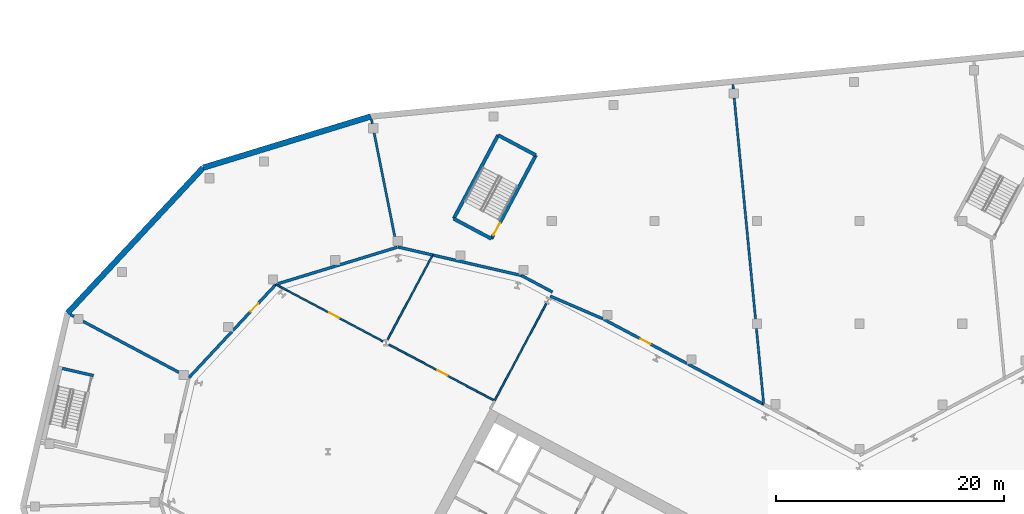
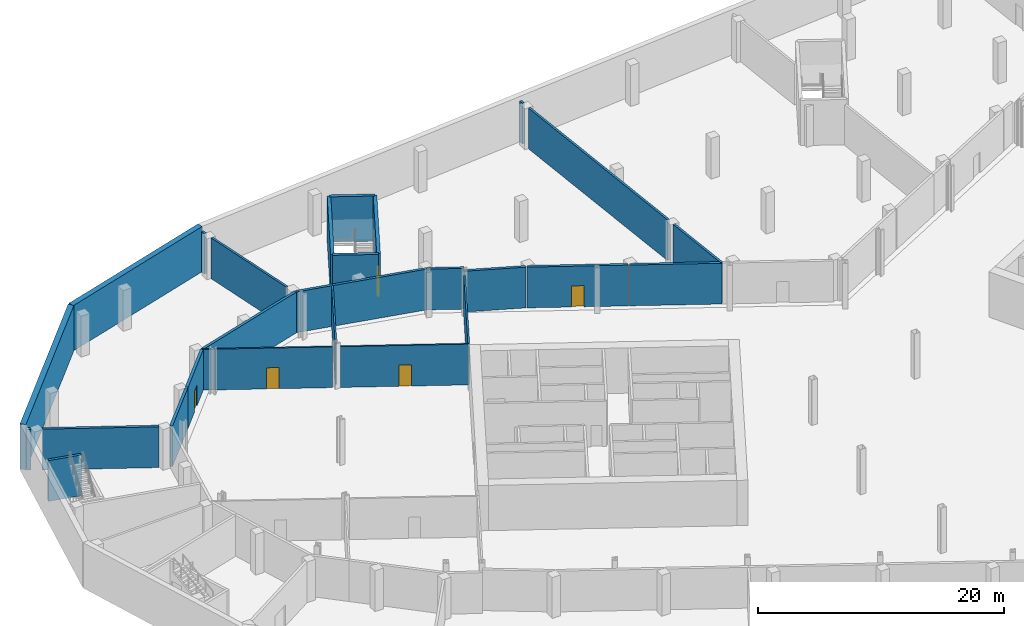
# One storey, part 15 of 27: 28 walls, 5 doors, 5 openings.
"""IFC4 building model written with IfcOpenShell, lengths in metres."""

from ifc_helpers import new_model, si_unit, direction, frame, frame_2d, origin, place, context, subcontext, project, spatial, rectangle, extrude, material, layer, layer_set, type_object, element, fill, save


model = new_model("IFC4")

# Units and contexts
model_context = context("Model", 3, precision=1e-05, world=origin(), true_north=direction((0.0, 1.0)))
body_context = subcontext(model_context, "Body", "Model", "MODEL_VIEW")
ifc_project = project(units=[si_unit("LENGTHUNIT", "METRE"), si_unit("AREAUNIT", "SQUARE_METRE"), si_unit("VOLUMEUNIT", "CUBIC_METRE"), si_unit("PLANEANGLEUNIT", "RADIAN"), si_unit("MASSUNIT", "GRAM", prefix="KILO")], contexts=[model_context])

# Site, building, storey
site_placement = place(None, origin())
site = spatial("IfcSite", under=ifc_project, at=site_placement, CompositionType="ELEMENT")
building_placement = place(site_placement, origin())
building = spatial("IfcBuilding", under=site, at=building_placement, Name="Cormorant Relay Tower", CompositionType="ELEMENT")
storey_placement = place(building_placement, frame((0.0, 0.0, -4.5)))
storey = spatial("IfcBuildingStorey", under=building, at=storey_placement, Name="B1", CompositionType="ELEMENT", Elevation=-4.5)

# Walls
ifc_material_1 = material(Name="Concrete masonry 20 MPa", Category="masonry")
ifc_layer_1 = layer(ifc_material_1, 0.25)
ifc_layer_set_1 = layer_set([ifc_layer_1], Name="Fire separation wall 250")
wall_type_1 = type_object("IfcWallType", Name="Fire separation wall 250", PredefinedType="SOLIDWALL", material=ifc_layer_set_1)
wall_1_placement = place(storey_placement, frame((-37.4501953125, 42.033203125, 0.0), z_axis=(0.0, 0.0, 1.0), x_axis=(0.97436957048, -0.224953195404, 0.0)))
element("IfcWall", 1, at=wall_1_placement, inside=storey, type_object=wall_type_1, Name="Partition", PredefinedType="SOLIDWALL", context=body_context, shape_type="SweptSolid", body=[
    extrude(rectangle(XDim=7.9931640625, YDim=0.25, at=frame_2d((3.99658203125, 0.0))), origin(), (0.0, 0.0, 1.0), 4.050048828125),
])
wall_2_placement = place(storey_placement, frame((-29.661865234375, 40.235107421875, 0.0), z_axis=(0.0, 0.0, 1.0), x_axis=(0.882951412921, -0.469464378224, 0.0)))
element("IfcWall", 2, at=wall_2_placement, inside=storey, type_object=wall_type_1, Name="Partition", PredefinedType="SOLIDWALL", context=body_context, shape_type="SweptSolid", body=[
    extrude(rectangle(XDim=3.0791015625, YDim=0.25, at=frame_2d((1.53955078125, 0.0))), origin(), (0.0, 0.0, 1.0), 4.050048828125),
])
wall_3_placement = place(storey_placement, frame((-40.4873046875, 42.734130859375, 0.0), z_axis=(0.0, 0.0, 1.0), x_axis=(0.974387235192, -0.224876668186, 0.0)))
element("IfcWall", 3, at=wall_3_placement, inside=storey, type_object=wall_type_1, Name="Partition", PredefinedType="SOLIDWALL", context=body_context, shape_type="SweptSolid", body=[
    extrude(rectangle(XDim=3.116943359375, YDim=0.25, at=frame_2d((1.55859375, 0.0))), origin(), (0.0, 0.0, 1.0), 4.050048828125),
])
wall_4_placement = place(storey_placement, frame((-27.13427734375, 38.429931640625, 0.0), z_axis=(0.0, 0.0, 1.0), x_axis=(0.918029849315, -0.396511280756, 0.0)))
element("IfcWall", 4, at=wall_4_placement, inside=storey, type_object=wall_type_1, Name="Partition", PredefinedType="SOLIDWALL", context=body_context, shape_type="SweptSolid", body=[
    extrude(rectangle(XDim=5.032958984375, YDim=0.25, at=frame_2d((2.5166015625, 0.0))), origin(), (0.0, 0.0, 1.0), 4.050048828125),
])

# Wall, opening, door
wall_5_placement = place(storey_placement, frame((-22.4267578125, 36.387939453125, 0.0), z_axis=(0.0, 0.0, 1.0), x_axis=(0.882947828207, -0.46947112016, 0.0)))
wall_5 = element("IfcWall", 5, at=wall_5_placement, inside=storey, type_object=wall_type_1, Name="Partition", PredefinedType="SOLIDWALL", context=body_context, shape_type="SweptSolid", body=[
    extrude(rectangle(XDim=8.249267578125, YDim=0.25, at=frame_2d((4.12451171875, 0.0))), origin(), (0.0, 0.0, 1.0), 4.050048828125),
])
opening_1_placement = place(wall_5_placement, frame((3.625, 0.0, 0.0)))
opening_1 = element("IfcOpeningElement", 6, at=opening_1_placement, cuts=wall_5, Name="Opening PD1-039", PredefinedType="OPENING", context=body_context, shape_type="SweptSolid", body=[
    extrude(rectangle(XDim=1.0, YDim=2.10009765625, at=frame_2d((0.5, 1.050048828125))), frame((0.0, 0.135009765625, 0.0), z_axis=(0.0, -1.0, 0.0), x_axis=(1.0, 0.0, 0.0)), (0.0, 0.0, 1.0), 0.27001953125),
])
ifc_material_2 = material(Name="Steel door leaf", Category="steel")
door_type_1 = type_object("IfcDoorType", Name="Door single 1000", OperationType="SINGLE_SWING_LEFT", PredefinedType="DOOR", material=ifc_material_2)
door_1_placement = place(opening_1_placement, origin())
door_1 = element("IfcDoor", 7, at=door_1_placement, inside=storey, type_object=door_type_1, Name="Door", OperationType="SINGLE_SWING_RIGHT", OverallHeight=2.10009765625, OverallWidth=1.0, PredefinedType="DOOR", context=body_context, shape_type="SweptSolid", body=[
    extrude(rectangle(XDim=1.0, YDim=2.10009765625, at=frame_2d((0.5, 1.050048828125))), frame((0.0, 0.02490234375, 0.0), z_axis=(0.0, -1.0, 0.0), x_axis=(1.0, 0.0, 0.0)), (0.0, 0.0, 1.0), 0.050048828125),
])
fill(opening_1, door_1)

# Walls
wall_6_placement = place(storey_placement, frame((-15.05615234375, 32.468994140625, 0.0), z_axis=(0.0, 0.0, 1.0), x_axis=(0.882954463929, -0.469458639954, 0.0)))
element("IfcWall", 8, at=wall_6_placement, inside=storey, type_object=wall_type_1, Name="Partition", PredefinedType="SOLIDWALL", context=body_context, shape_type="SweptSolid", body=[
    extrude(rectangle(XDim=7.52978515625, YDim=0.25, at=frame_2d((3.764892578125, 0.0))), origin(), (0.0, 0.0, 1.0), 4.050048828125),
])
wall_7_placement = place(storey_placement, frame((-69.21728515625, 36.803466796875, 0.0), z_axis=(0.0, 0.0, 1.0), x_axis=(0.882841235484, -0.469671537278, 0.0)))
element("IfcWall", 9, at=wall_7_placement, inside=storey, type_object=wall_type_1, Name="Partition", PredefinedType="SOLIDWALL", context=body_context, shape_type="SweptSolid", body=[
    extrude(rectangle(XDim=0.345703125, YDim=0.25, at=frame_2d((0.1728515625, 0.0))), origin(), (0.0, 0.0, 1.0), 4.050048828125),
])
wall_8_placement = place(storey_placement, frame((-68.112060546875, 36.2158203125, 0.0), z_axis=(0.0, 0.0, 1.0), x_axis=(0.882949504028, -0.469467968382, 0.0)))
element("IfcWall", 10, at=wall_8_placement, inside=storey, type_object=wall_type_1, Name="Partition", PredefinedType="SOLIDWALL", context=body_context, shape_type="SweptSolid", body=[
    extrude(rectangle(XDim=9.550048828125, YDim=0.25, at=frame_2d((4.77490234375, 0.0))), origin(), (0.0, 0.0, 1.0), 4.050048828125),
])
wall_9_placement = place(storey_placement, frame((-58.823974609375, 31.272705078125, 0.0), z_axis=(0.0, 0.0, 1.0), x_axis=(0.681856343792, 0.73148610816, 0.0)))
element("IfcWall", 11, at=wall_9_placement, inside=storey, type_object=wall_type_1, Name="Partition", PredefinedType="SOLIDWALL", context=body_context, shape_type="SweptSolid", body=[
    extrude(rectangle(XDim=5.519287109375, YDim=0.25, at=frame_2d((2.759765625, 0.0))), origin(), (0.0, 0.0, 1.0), 4.050048828125),
])

# Wall, opening, door
wall_10_placement = place(storey_placement, frame((-54.971923828125, 35.405029296875, 0.0), z_axis=(0.0, 0.0, 1.0), x_axis=(0.681862401645, 0.731480461273, 0.0)))
wall_10 = element("IfcWall", 12, at=wall_10_placement, inside=storey, type_object=wall_type_1, Name="Partition", PredefinedType="SOLIDWALL", context=body_context, shape_type="SweptSolid", body=[
    extrude(rectangle(XDim=5.535400390625, YDim=0.25, at=frame_2d((2.767578125, 0.0))), origin(), (0.0, 0.0, 1.0), 4.050048828125),
])
opening_2_placement = place(wall_10_placement, frame((2.26806640625, 0.0, 0.0)))
opening_2 = element("IfcOpeningElement", 13, at=opening_2_placement, cuts=wall_10, Name="Opening PD1-040", PredefinedType="OPENING", context=body_context, shape_type="SweptSolid", body=[
    extrude(rectangle(XDim=1.0, YDim=2.10009765625, at=frame_2d((0.5, 1.050048828125))), frame((0.0, 0.135009765625, 0.0), z_axis=(0.0, -1.0, 0.0), x_axis=(1.0, 0.0, 0.0)), (0.0, 0.0, 1.0), 0.27001953125),
])
door_2_placement = place(opening_2_placement, origin())
door_2 = element("IfcDoor", 14, at=door_2_placement, inside=storey, type_object=door_type_1, Name="Door", OperationType="SINGLE_SWING_RIGHT", OverallHeight=2.10009765625, OverallWidth=1.0, PredefinedType="DOOR", context=body_context, shape_type="SweptSolid", body=[
    extrude(rectangle(XDim=1.0, YDim=2.10009765625, at=frame_2d((0.5, 1.050048828125))), frame((0.0, 0.02490234375, 0.0), z_axis=(0.0, -1.0, 0.0), x_axis=(1.0, 0.0, 0.0)), (0.0, 0.0, 1.0), 0.050048828125),
])
fill(opening_2, door_2)

# Walls
wall_11_placement = place(storey_placement, frame((-51.190185546875, 39.4619140625, 0.0), z_axis=(0.0, 0.0, 1.0), x_axis=(0.956306774144, 0.29236510347, 0.0)))
element("IfcWall", 15, at=wall_11_placement, inside=storey, type_object=wall_type_1, Name="Partition", PredefinedType="SOLIDWALL", context=body_context, shape_type="SweptSolid", body=[
    extrude(rectangle(XDim=11.129638671875, YDim=0.25, at=frame_2d((5.56494140625, 0.0))), origin(), (0.0, 0.0, 1.0), 4.050048828125),
])
wall_12_placement = place(storey_placement, frame((-69.924560546875, 32.09033203125, 0.0), z_axis=(0.0, 0.0, 1.0), x_axis=(0.974369148124, -0.224955024802, 0.0)))
element("IfcWall", 16, at=wall_12_placement, inside=storey, type_object=wall_type_1, Name="Stair enclosure wall", PredefinedType="SOLIDWALL", context=body_context, shape_type="SweptSolid", body=[
    extrude(rectangle(XDim=2.800048828125, YDim=0.25, at=frame_2d((1.39990234375, 0.0))), origin(), (0.0, 0.0, 1.0), 4.050048828125),
])

# Wall, opening, door
ifc_material_3 = material(Name="Gypsum board on steel stud", Category="steel")
ifc_layer_2 = layer(ifc_material_3, 0.14990234375)
ifc_layer_set_2 = layer_set([ifc_layer_2], Name="Partition 150")
wall_type_2 = type_object("IfcWallType", Name="Partition 150", PredefinedType="PARTITIONING", material=ifc_layer_set_2)
wall_13_placement = place(storey_placement, frame((-32.013427734375, 29.253662109375, 0.0), z_axis=(0.0, 0.0, 1.0), x_axis=(-0.882951328121, 0.469464537713, 0.0)))
wall_13 = element("IfcWall", 17, at=wall_13_placement, inside=storey, type_object=wall_type_2, Name="Partition", PredefinedType="PARTITIONING", context=body_context, shape_type="SweptSolid", body=[
    extrude(rectangle(XDim=10.502197265625, YDim=0.14990234375, at=frame_2d((5.2509765625, 0.0))), origin(), (0.0, 0.0, 1.0), 4.050048828125),
])
opening_3_placement = place(wall_13_placement, frame((4.673095703125, 0.0, 0.0)))
opening_3 = element("IfcOpeningElement", 18, at=opening_3_placement, cuts=wall_13, Name="Opening PD1-045", PredefinedType="OPENING", context=body_context, shape_type="SweptSolid", body=[
    extrude(rectangle(XDim=1.0, YDim=2.10009765625, at=frame_2d((0.5, 1.050048828125))), frame((0.0, 0.0849609375, 0.0), z_axis=(0.0, -1.0, 0.0), x_axis=(1.0, 0.0, 0.0)), (0.0, 0.0, 1.0), 0.169921875),
])
door_3_placement = place(opening_3_placement, frame((1.0, 0.0, 0.0), z_axis=(0.0, 0.0, 1.0), x_axis=(-1.0, 0.0, 0.0)))
door_3 = element("IfcDoor", 19, at=door_3_placement, inside=storey, type_object=door_type_1, Name="Door", OperationType="SINGLE_SWING_RIGHT", OverallHeight=2.10009765625, OverallWidth=1.0, PredefinedType="DOOR", context=body_context, shape_type="SweptSolid", body=[
    extrude(rectangle(XDim=1.0, YDim=2.10009765625, at=frame_2d((0.5, 1.050048828125))), frame((0.0, 0.02490234375, 0.0), z_axis=(0.0, -1.0, 0.0), x_axis=(1.0, 0.0, 0.0)), (0.0, 0.0, 1.0), 0.050048828125),
])
fill(opening_3, door_3)

wall_14_placement = place(storey_placement, frame((-41.8115234375, 34.46337890625, 0.0), z_axis=(0.0, 0.0, 1.0), x_axis=(-0.882945529205, 0.469475443935, 0.0)))
wall_14 = element("IfcWall", 20, at=wall_14_placement, inside=storey, type_object=wall_type_2, Name="Partition", PredefinedType="PARTITIONING", context=body_context, shape_type="SweptSolid", body=[
    extrude(rectangle(XDim=9.568603515625, YDim=0.14990234375, at=frame_2d((4.7841796875, 0.0))), origin(), (0.0, 0.0, 1.0), 4.050048828125),
])
opening_4_placement = place(wall_14_placement, frame((4.361572265625, 0.0, 0.0)))
opening_4 = element("IfcOpeningElement", 21, at=opening_4_placement, cuts=wall_14, Name="Opening PD1-046", PredefinedType="OPENING", context=body_context, shape_type="SweptSolid", body=[
    extrude(rectangle(XDim=1.0, YDim=2.10009765625, at=frame_2d((0.5, 1.050048828125))), frame((0.0, 0.0849609375, 0.0), z_axis=(0.0, -1.0, 0.0), x_axis=(1.0, 0.0, 0.0)), (0.0, 0.0, 1.0), 0.169921875),
])
door_4_placement = place(opening_4_placement, frame((1.0, 0.0, 0.0), z_axis=(0.0, 0.0, 1.0), x_axis=(-1.0, 0.0, 0.0)))
door_4 = element("IfcDoor", 22, at=door_4_placement, inside=storey, type_object=door_type_1, Name="Door", OperationType="SINGLE_SWING_RIGHT", OverallHeight=2.10009765625, OverallWidth=1.0, PredefinedType="DOOR", context=body_context, shape_type="SweptSolid", body=[
    extrude(rectangle(XDim=1.0, YDim=2.10009765625, at=frame_2d((0.5, 1.050048828125))), frame((0.0, 0.02490234375, 0.0), z_axis=(0.0, -1.0, 0.0), x_axis=(1.0, 0.0, 0.0)), (0.0, 0.0, 1.0), 0.050048828125),
])
fill(opening_4, door_4)

# Walls
wall_15_placement = place(storey_placement, frame((-50.260009765625, 38.95556640625, 0.0), z_axis=(0.0, 0.0, 1.0), x_axis=(-0.882925119508, 0.469513826572, 0.0)))
element("IfcWall", 23, at=wall_15_placement, inside=storey, type_object=wall_type_2, Name="Partition", PredefinedType="PARTITIONING", context=body_context, shape_type="SweptSolid", body=[
    extrude(rectangle(XDim=1.061767578125, YDim=0.14990234375, at=frame_2d((0.53076171875, 0.0))), origin(), (0.0, 0.0, 1.0), 4.050048828125),
])
wall_16_placement = place(storey_placement, frame((-37.4501953125, 42.033203125, 0.0), z_axis=(0.0, 0.0, 1.0), x_axis=(-0.46946644805, -0.882950312393, 0.0)))
element("IfcWall", 24, at=wall_16_placement, inside=storey, type_object=wall_type_2, Name="Partition", PredefinedType="PARTITIONING", context=body_context, shape_type="SweptSolid", body=[
    extrude(rectangle(XDim=8.373046875, YDim=0.14990234375, at=frame_2d((4.1865234375, 0.0))), origin(), (0.0, 0.0, 1.0), 4.050048828125),
])
wall_17_placement = place(storey_placement, frame((-32.015380859375, 29.25, 0.0), z_axis=(0.0, 0.0, 1.0), x_axis=(0.469462919124, 0.882952188721, 0.0)))
element("IfcWall", 25, at=wall_17_placement, inside=storey, type_object=wall_type_2, Name="Partition", PredefinedType="PARTITIONING", context=body_context, shape_type="SweptSolid", body=[
    extrude(rectangle(XDim=9.687255859375, YDim=0.14990234375, at=frame_2d((4.84375, 0.0))), origin(), (0.0, 0.0, 1.0), 4.050048828125),
])
ifc_material_4 = material(Name="Concrete masonry 20 MPa", Category="masonry")
ifc_layer_3 = layer(ifc_material_4, 0.199951171875)
ifc_layer_set_3 = layer_set([ifc_layer_3], Name="Plant room wall 200")
wall_type_3 = type_object("IfcWallType", Name="Plant room wall 200", PredefinedType="PARTITIONING", material=ifc_layer_set_3)
wall_18_placement = place(storey_placement, frame((-11.115966796875, 56.997802734375, 0.0), z_axis=(0.0, 0.0, 1.0), x_axis=(0.095794311802, -0.995401150203, 0.0)))
element("IfcWall", 26, at=wall_18_placement, inside=storey, type_object=wall_type_3, Name="Partition", PredefinedType="PARTITIONING", context=body_context, shape_type="SweptSolid", body=[
    extrude(rectangle(XDim=0.3974609375, YDim=0.199951171875, at=frame_2d((0.19873046875, 0.0))), origin(), (0.0, 0.0, 1.0), 4.050048828125),
])
wall_19_placement = place(storey_placement, frame((-11.000732421875, 55.802001953125, 0.0), z_axis=(0.0, 0.0, 1.0), x_axis=(0.095942712783, -0.99538685739, 0.0)))
element("IfcWall", 27, at=wall_19_placement, inside=storey, type_object=wall_type_3, Name="Partition", PredefinedType="PARTITIONING", context=body_context, shape_type="SweptSolid", body=[
    extrude(rectangle(XDim=19.491943359375, YDim=0.199951171875, at=frame_2d((9.74609375, 0.0))), origin(), (0.0, 0.0, 1.0), 4.050048828125),
])
wall_20_placement = place(storey_placement, frame((-9.0537109375, 35.60009765625, 0.0), z_axis=(0.0, 0.0, 1.0), x_axis=(0.095939612703, -0.995387156193, 0.0)))
element("IfcWall", 28, at=wall_20_placement, inside=storey, type_object=wall_type_3, Name="Partition", PredefinedType="PARTITIONING", context=body_context, shape_type="SweptSolid", body=[
    extrude(rectangle(XDim=6.6953125, YDim=0.199951171875, at=frame_2d((3.34765625, 0.0))), origin(), (0.0, 0.0, 1.0), 4.050048828125),
])
wall_21_placement = place(storey_placement, frame((-42.81689453125, 53.932373046875, 0.0), z_axis=(0.0, 0.0, 1.0), x_axis=(0.194899081762, -0.980823301073, 0.0)))
element("IfcWall", 29, at=wall_21_placement, inside=storey, type_object=wall_type_3, Name="Partition", PredefinedType="PARTITIONING", context=body_context, shape_type="SweptSolid", body=[
    extrude(rectangle(XDim=0.3857421875, YDim=0.199951171875, at=frame_2d((0.19287109375, 0.0))), origin(), (0.0, 0.0, 1.0), 4.050048828125),
])
wall_22_placement = place(storey_placement, frame((-42.58251953125, 52.75390625, 0.0), z_axis=(0.0, 0.0, 1.0), x_axis=(0.195149741705, -0.980773459221, 0.0)))
element("IfcWall", 30, at=wall_22_placement, inside=storey, type_object=wall_type_3, Name="Partition", PredefinedType="PARTITIONING", context=body_context, shape_type="SweptSolid", body=[
    extrude(rectangle(XDim=9.2802734375, YDim=0.199951171875, at=frame_2d((4.64013671875, 0.0))), origin(), (0.0, 0.0, 1.0), 4.050048828125),
])
ifc_material_5 = material(Name="Concrete 50 MPa", Category="concrete")
ifc_layer_4 = layer(ifc_material_5, 0.300048828125)
ifc_layer_set_4 = layer_set([ifc_layer_4], Name="Remote stair wall 300")
wall_type_4 = type_object("IfcWallType", Name="Remote stair wall 300", PredefinedType="SHEAR", material=ifc_layer_set_4)
wall_23_placement = place(storey_placement, frame((-31.707275390625, 52.54443359375, 0.0), z_axis=(0.0, 0.0, 1.0), x_axis=(0.882948761726, -0.46946936446, 0.0)))
element("IfcWall", 31, at=wall_23_placement, inside=storey, type_object=wall_type_4, Name="B1 exit stair RN2 wall", PredefinedType="SHEAR", context=body_context, shape_type="SweptSolid", body=[
    extrude(rectangle(XDim=3.75, YDim=0.300048828125, at=frame_2d((1.875, 0.0))), origin(), (0.0, 0.0, 1.0), 4.5),
])

# Wall, opening, door
wall_24_placement = place(storey_placement, frame((-28.396240234375, 50.783935546875, 0.0), z_axis=(0.0, 0.0, 1.0), x_axis=(-0.469464178475, -0.882951519127, 0.0)))
wall_24 = element("IfcWall", 32, at=wall_24_placement, inside=storey, type_object=wall_type_4, Name="B1 exit stair RN2 wall", PredefinedType="SHEAR", context=body_context, shape_type="SweptSolid", body=[
    extrude(rectangle(XDim=8.2998046875, YDim=0.300048828125, at=frame_2d((4.14990234375, 0.0))), origin(), (0.0, 0.0, 1.0), 4.5),
])
opening_5_placement = place(wall_24_placement, frame((6.72509765625, 0.0, 0.0)))
opening_5 = element("IfcOpeningElement", 33, at=opening_5_placement, cuts=wall_24, Name="Opening CDB-006", PredefinedType="OPENING", context=body_context, shape_type="SweptSolid", body=[
    extrude(rectangle(XDim=1.199951171875, YDim=2.10009765625, at=frame_2d((0.60009765625, 1.050048828125))), frame((0.0, 0.159912109375, 0.0), z_axis=(0.0, -1.0, 0.0), x_axis=(1.0, 0.0, 0.0)), (0.0, 0.0, 1.0), 0.320068359375),
])
ifc_material_6 = material(Name="Steel fire door", Category="steel")
door_type_2 = type_object("IfcDoorType", Name="Core stair door 1200x2100", OperationType="SINGLE_SWING_LEFT", PredefinedType="DOOR", material=ifc_material_6)
door_5_placement = place(opening_5_placement, frame((1.199951171875, 0.0, 0.0), z_axis=(0.0, 0.0, 1.0), x_axis=(-1.0, 0.0, 0.0)))
door_5 = element("IfcDoor", 34, at=door_5_placement, inside=storey, type_object=door_type_2, Name="Exit stair RN2 door", OperationType="SINGLE_SWING_LEFT", OverallHeight=2.10009765625, OverallWidth=1.199951171875, PredefinedType="DOOR", context=body_context, shape_type="SweptSolid", body=[
    extrude(rectangle(XDim=1.199951171875, YDim=2.10009765625, at=frame_2d((0.60009765625, 1.050048828125))), frame((0.0, 0.02490234375, 0.0), z_axis=(0.0, -1.0, 0.0), x_axis=(1.0, 0.0, 0.0)), (0.0, 0.0, 1.0), 0.050048828125),
])
fill(opening_5, door_5)

# Walls
wall_25_placement = place(storey_placement, frame((-32.292724609375, 43.45556640625, 0.0), z_axis=(0.0, 0.0, 1.0), x_axis=(-0.882948761726, 0.46946936446, 0.0)))
element("IfcWall", 35, at=wall_25_placement, inside=storey, type_object=wall_type_4, Name="B1 exit stair RN2 wall", PredefinedType="SHEAR", context=body_context, shape_type="SweptSolid", body=[
    extrude(rectangle(XDim=3.75, YDim=0.300048828125, at=frame_2d((1.875, 0.0))), origin(), (0.0, 0.0, 1.0), 4.5),
])
wall_26_placement = place(storey_placement, frame((-35.603759765625, 45.216064453125, 0.0), z_axis=(0.0, 0.0, 1.0), x_axis=(0.469464178475, 0.882951519127, 0.0)))
element("IfcWall", 36, at=wall_26_placement, inside=storey, type_object=wall_type_4, Name="B1 exit stair RN2 wall", PredefinedType="SHEAR", context=body_context, shape_type="SweptSolid", body=[
    extrude(rectangle(XDim=8.2998046875, YDim=0.300048828125, at=frame_2d((4.14990234375, 0.0))), origin(), (0.0, 0.0, 1.0), 4.5),
])
ifc_material_7 = material(Name="Concrete 40 MPa", Category="concrete")
ifc_layer_5 = layer(ifc_material_7, 0.5)
ifc_layer_set_5 = layer_set([ifc_layer_5], Name="Retaining wall 500")
wall_type_5 = type_object("IfcWallType", Name="Retaining wall 500", PredefinedType="SOLIDWALL", material=ifc_layer_set_5)
wall_27_placement = place(storey_placement, frame((-42.867919921875, 54.188720703125, 0.0), z_axis=(0.0, 0.0, 1.0), x_axis=(-0.956302408896, -0.292379381524, 0.0)))
element("IfcWall", 37, at=wall_27_placement, inside=storey, type_object=wall_type_5, Name="Retaining wall", PredefinedType="SOLIDWALL", context=body_context, shape_type="SweptSolid", body=[
    extrude(rectangle(XDim=15.385986328125, YDim=0.5, at=frame_2d((7.69287109375, 0.0))), origin(), (0.0, 0.0, 1.0), 4.5),
])
wall_28_placement = place(storey_placement, frame((-57.58154296875, 49.690185546875, 0.0), z_axis=(0.0, 0.0, 1.0), x_axis=(-0.681995885164, -0.731356009491, 0.0)))
element("IfcWall", 38, at=wall_28_placement, inside=storey, type_object=wall_type_5, Name="Retaining wall", PredefinedType="SOLIDWALL", context=body_context, shape_type="SweptSolid", body=[
    extrude(rectangle(XDim=17.43505859375, YDim=0.5, at=frame_2d((8.717529296875, 0.0))), origin(), (0.0, 0.0, 1.0), 4.5),
])

save(model, "model.ifc")
